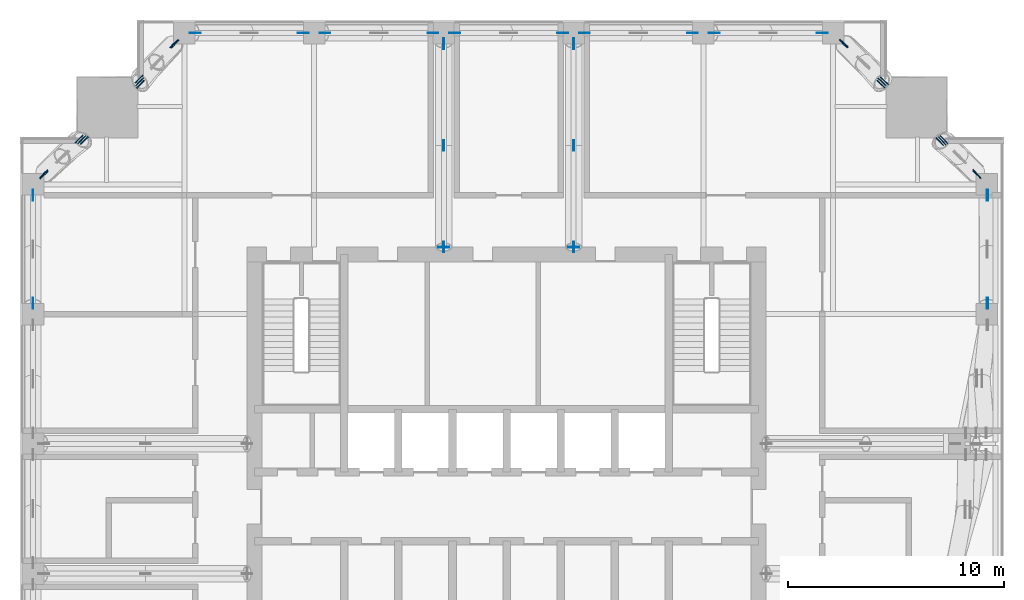
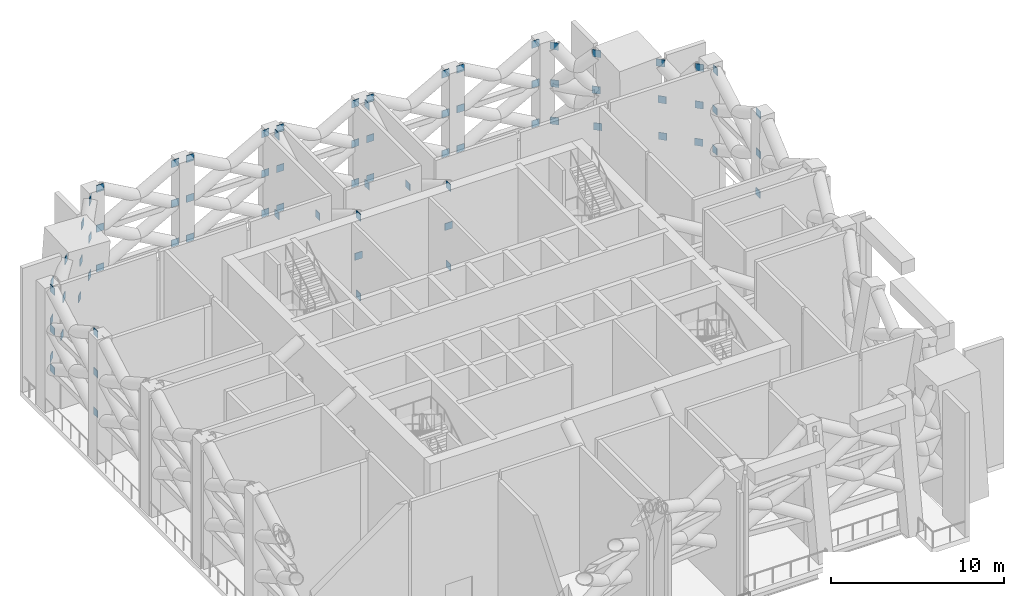
# One storey, part 14 of 18: 78 discrete accessories.
"""IFC4 building model written with IfcOpenShell, lengths in metres."""

from ifc_helpers import new_model, si_unit, direction, frame, origin, origin_2d, place, context, subcontext, project, spatial, rectangle, extrude, element, save


model = new_model("IFC4")

# Units and contexts
model_context = context("Model", 3, precision=1e-05, world=origin(), true_north=direction((0.0, 1.0)))
body_context = subcontext(model_context, "Body", "Model", "MODEL_VIEW")
ifc_project = project(units=[si_unit("LENGTHUNIT", "METRE"), si_unit("AREAUNIT", "SQUARE_METRE"), si_unit("VOLUMEUNIT", "CUBIC_METRE"), si_unit("PLANEANGLEUNIT", "RADIAN"), si_unit("MASSUNIT", "GRAM", prefix="KILO")], contexts=[model_context])

# Site, building, storey
site_placement = place(None, origin())
site = spatial("IfcSite", under=ifc_project, at=site_placement, CompositionType="ELEMENT")
building_placement = place(site_placement, origin())
building = spatial("IfcBuilding", under=site, at=building_placement, Name="Amberfall Residences", CompositionType="ELEMENT")
storey_placement = place(building_placement, frame((0.0, 0.0, 178.0)))
storey = spatial("IfcBuildingStorey", under=building, at=storey_placement, Name="L48", CompositionType="ELEMENT", Elevation=178.0)

# Discrete accessories
discrete_accessory_1_placement = place(storey_placement, frame((71.60009765625, 57.5, 5.449951171875), z_axis=(0.0, 0.0, 1.0), x_axis=(0.0, 1.0, 0.0)))
element("IfcDiscreteAccessory", 1, at=discrete_accessory_1_placement, inside=storey, Name="Cast-in plate L48", PredefinedType="BRACKET", context=body_context, shape_type="SweptSolid", body=[
    extrude(rectangle(XDim=0.0400390625, YDim=0.5, at=origin_2d()), origin(), (0.0, 0.0, 1.0), 0.5),
])
for number, where, z_axis, x_axis, name in (
    (2, (71.60009765625, 66.89990234375, 2.64990234375), (0.0, 0.0, 1.0), (0.0, 1.0, 0.0), "Connection plate L48"),
    (3, (71.60009765625, 62.199951171875, 5.449951171875), (0.0, 0.0, 1.0), (0.0, 1.0, 0.0), "Connection plate L48"),
    (4, (71.60009765625, 57.5, 2.64990234375), (0.0, 0.0, 1.0), (0.0, 1.0, 0.0), "Connection plate L48"),
    (5, (71.60009765625, 66.89990234375, 8.25), (0.0, 0.0, 1.0), (0.0, 1.0, 0.0), "Connection plate L48"),
    (6, (71.60009765625, 57.5, 8.25), (0.0, 0.0, 1.0), (0.0, 1.0, 0.0), "Connection plate L48"),
):
    element("IfcDiscreteAccessory", number, at=place(storey_placement, frame(where, z_axis=z_axis, x_axis=x_axis)), inside=storey, Name=name, PredefinedType="BRACKET", context=body_context, shape_type="SweptSolid", body=[
        extrude(rectangle(XDim=0.5, YDim=0.0400390625, at=origin_2d()), origin(), (0.0, 0.0, 1.0), 0.5),
    ])
discrete_accessory_2_placement = place(storey_placement, frame((77.60009765625, 57.5, 5.449951171875), z_axis=(0.0, 0.0, 1.0), x_axis=(0.0, 1.0, 0.0)))
element("IfcDiscreteAccessory", 7, at=discrete_accessory_2_placement, inside=storey, Name="Cast-in plate L48", PredefinedType="BRACKET", context=body_context, shape_type="SweptSolid", body=[
    extrude(rectangle(XDim=0.0400390625, YDim=0.5, at=origin_2d()), origin(), (0.0, 0.0, 1.0), 0.5),
])
for number, where, z_axis, x_axis, name in (
    (8, (77.60009765625, 66.89990234375, 2.64990234375), (0.0, 0.0, 1.0), (0.0, 1.0, 0.0), "Connection plate L48"),
    (9, (77.60009765625, 62.199951171875, 5.449951171875), (0.0, 0.0, 1.0), (0.0, 1.0, 0.0), "Connection plate L48"),
    (10, (77.60009765625, 57.5, 2.64990234375), (0.0, 0.0, 1.0), (0.0, 1.0, 0.0), "Connection plate L48"),
    (11, (77.60009765625, 66.89990234375, 8.25), (0.0, 0.0, 1.0), (0.0, 1.0, 0.0), "Connection plate L48"),
    (12, (77.60009765625, 57.5, 8.25), (0.0, 0.0, 1.0), (0.0, 1.0, 0.0), "Connection plate L48"),
    (13, (96.71728515625, 54.89990234375, 2.64990234375), (0.0, 0.0, 1.0), (0.0, 1.0, 0.0), "Connection plate L48"),
    (14, (96.732421875, 59.89990234375, 5.449951171875), (0.0, 0.0, 1.0), (0.0, 1.0, 0.0), "Connection plate L48"),
    (15, (96.732421875, 54.89990234375, 5.449951171875), (0.0, 0.0, 1.0), (0.0, 1.0, 0.0), "Connection plate L48"),
    (16, (96.71728515625, 59.89990234375, 2.64990234375), (0.0, 0.0, 1.0), (0.0, 1.0, 0.0), "Connection plate L48"),
    (17, (96.747314453125, 59.89990234375, 8.25), (0.0, 0.0, 1.0), (0.0, 1.0, 0.0), "Connection plate L48"),
    (18, (96.747314453125, 54.89990234375, 8.25), (0.0, 0.0, 1.0), (0.0, 1.0, 0.0), "Connection plate L48"),
    (19, (60.10009765625, 67.39990234375, 2.64990234375), (0.0, 0.0, 1.0), (1.0, 0.0, 0.0), "Connection plate L48"),
    (20, (65.10009765625, 67.39990234375, 5.449951171875), (0.0, 0.0, 1.0), (1.0, 0.0, 0.0), "Connection plate L48"),
    (21, (60.10009765625, 67.39990234375, 5.449951171875), (0.0, 0.0, 1.0), (1.0, 0.0, 0.0), "Connection plate L48"),
    (22, (65.10009765625, 67.39990234375, 2.64990234375), (0.0, 0.0, 1.0), (1.0, 0.0, 0.0), "Connection plate L48"),
    (23, (65.10009765625, 67.39990234375, 8.25), (0.0, 0.0, 1.0), (1.0, 0.0, 0.0), "Connection plate L48"),
    (24, (60.10009765625, 67.39990234375, 8.25), (0.0, 0.0, 1.0), (1.0, 0.0, 0.0), "Connection plate L48"),
    (25, (66.10009765625, 67.39990234375, 2.64990234375), (0.0, 0.0, 1.0), (1.0, 0.0, 0.0), "Connection plate L48"),
    (26, (71.10009765625, 67.39990234375, 5.449951171875), (0.0, 0.0, 1.0), (1.0, 0.0, 0.0), "Connection plate L48"),
    (27, (66.10009765625, 67.39990234375, 5.449951171875), (0.0, 0.0, 1.0), (1.0, 0.0, 0.0), "Connection plate L48"),
    (28, (71.10009765625, 67.39990234375, 2.64990234375), (0.0, 0.0, 1.0), (1.0, 0.0, 0.0), "Connection plate L48"),
    (29, (71.10009765625, 67.39990234375, 8.25), (0.0, 0.0, 1.0), (1.0, 0.0, 0.0), "Connection plate L48"),
    (30, (66.10009765625, 67.39990234375, 8.25), (0.0, 0.0, 1.0), (1.0, 0.0, 0.0), "Connection plate L48"),
    (31, (72.10009765625, 67.39990234375, 2.64990234375), (0.0, 0.0, 1.0), (1.0, 0.0, 0.0), "Connection plate L48"),
    (32, (77.10009765625, 67.39990234375, 5.449951171875), (0.0, 0.0, 1.0), (1.0, 0.0, 0.0), "Connection plate L48"),
    (33, (72.10009765625, 67.39990234375, 5.449951171875), (0.0, 0.0, 1.0), (1.0, 0.0, 0.0), "Connection plate L48"),
    (34, (77.10009765625, 67.39990234375, 2.64990234375), (0.0, 0.0, 1.0), (1.0, 0.0, 0.0), "Connection plate L48"),
    (35, (77.10009765625, 67.39990234375, 8.25), (0.0, 0.0, 1.0), (1.0, 0.0, 0.0), "Connection plate L48"),
    (36, (72.10009765625, 67.39990234375, 8.25), (0.0, 0.0, 1.0), (1.0, 0.0, 0.0), "Connection plate L48"),
    (37, (78.10009765625, 67.39990234375, 2.64990234375), (0.0, 0.0, 1.0), (1.0, 0.0, 0.0), "Connection plate L48"),
    (38, (83.10009765625, 67.39990234375, 5.449951171875), (0.0, 0.0, 1.0), (1.0, 0.0, 0.0), "Connection plate L48"),
    (39, (78.10009765625, 67.39990234375, 5.449951171875), (0.0, 0.0, 1.0), (1.0, 0.0, 0.0), "Connection plate L48"),
    (40, (83.10009765625, 67.39990234375, 2.64990234375), (0.0, 0.0, 1.0), (1.0, 0.0, 0.0), "Connection plate L48"),
    (41, (83.10009765625, 67.39990234375, 8.25), (0.0, 0.0, 1.0), (1.0, 0.0, 0.0), "Connection plate L48"),
    (42, (78.10009765625, 67.39990234375, 8.25), (0.0, 0.0, 1.0), (1.0, 0.0, 0.0), "Connection plate L48"),
    (43, (84.10009765625, 67.39990234375, 2.64990234375), (0.0, 0.0, 1.0), (1.0, 0.0, 0.0), "Connection plate L48"),
    (44, (89.10009765625, 67.39990234375, 5.449951171875), (0.0, 0.0, 1.0), (1.0, 0.0, 0.0), "Connection plate L48"),
    (45, (84.10009765625, 67.39990234375, 5.449951171875), (0.0, 0.0, 1.0), (1.0, 0.0, 0.0), "Connection plate L48"),
    (46, (89.10009765625, 67.39990234375, 2.64990234375), (0.0, 0.0, 1.0), (1.0, 0.0, 0.0), "Connection plate L48"),
    (47, (89.10009765625, 67.39990234375, 8.25), (0.0, 0.0, 1.0), (1.0, 0.0, 0.0), "Connection plate L48"),
    (48, (84.10009765625, 67.39990234375, 8.25), (0.0, 0.0, 1.0), (1.0, 0.0, 0.0), "Connection plate L48"),
    (49, (52.60009765625, 54.89990234375, 2.64990234375), (0.0, 0.0, 1.0), (0.0, 1.0, 0.0), "Connection plate L48"),
    (50, (52.60009765625, 59.89990234375, 5.449951171875), (0.0, 0.0, 1.0), (0.0, 1.0, 0.0), "Connection plate L48"),
    (51, (52.60009765625, 54.89990234375, 5.449951171875), (0.0, 0.0, 1.0), (0.0, 1.0, 0.0), "Connection plate L48"),
    (52, (52.60009765625, 59.89990234375, 2.64990234375), (0.0, 0.0, 1.0), (0.0, 1.0, 0.0), "Connection plate L48"),
    (53, (52.60009765625, 59.89990234375, 8.25), (0.0, 0.0, 1.0), (0.0, 1.0, 0.0), "Connection plate L48"),
    (54, (52.60009765625, 54.89990234375, 8.25), (0.0, 0.0, 1.0), (0.0, 1.0, 0.0), "Connection plate L48"),
    (55, (94.720458984375, 62.468505859375, 2.75), (0.0, 0.0, 1.0), (0.689417289916, -0.724364411305, 0.0), "Connection plate L48"),
    (56, (96.232177734375, 60.88037109375, 5.396484375), (0.0, 0.0, 1.0), (0.689417289916, -0.724364411305, 0.0), "Connection plate L48"),
    (57, (94.647705078125, 62.402587890625, 5.396484375), (0.0, 0.0, 1.0), (0.689417289916, -0.724364411305, 0.0), "Connection plate L48"),
    (58, (96.235107421875, 60.89990234375, 2.75), (0.0, 0.0, 1.0), (0.689417289916, -0.724364411305, 0.0), "Connection plate L48"),
    (59, (96.24609375, 60.84619140625, 8.042724609375), (0.0, 0.0, 1.0), (0.71648459999, -0.697602908521, 0.0), "Connection plate L48"),
    (60, (94.528564453125, 62.37890625, 8.042724609375), (0.0, 0.0, 1.0), (0.71648459999, -0.697602908521, 0.0), "Connection plate L48"),
    (61, (91.968505859375, 65.1806640625, 2.75), (0.0, 0.0, 1.0), (-0.735978938766, 0.67700443255, 0.0), "Connection plate L48"),
    (62, (90.099365234375, 66.89990234375, 5.396484375), (0.0, 0.0, 1.0), (-0.735978938766, 0.67700443255, 0.0), "Connection plate L48"),
    (63, (91.849365234375, 65.147705078125, 5.396484375), (0.0, 0.0, 1.0), (-0.735978938766, 0.67700443255, 0.0), "Connection plate L48"),
    (64, (90.10009765625, 66.931396484375, 2.75), (0.0, 0.0, 1.0), (-0.735978938766, 0.67700443255, 0.0), "Connection plate L48"),
    (65, (90.06787109375, 66.89990234375, 8.042724609375), (0.0, 0.0, 1.0), (-0.712920074263, 0.701245297819, 0.0), "Connection plate L48"),
    (66, (91.818603515625, 65.028564453125, 8.042724609375), (0.0, 0.0, 1.0), (-0.712920074263, 0.701245297819, 0.0), "Connection plate L48"),
    (67, (57.506591796875, 65.2685546875, 2.75), (0.0, 0.0, 1.0), (0.70793316742, 0.706279428036, 0.0), "Connection plate L48"),
    (68, (59.1416015625, 66.89990234375, 5.396484375), (0.0, 0.0, 1.0), (0.70793316742, 0.706279428036, 0.0), "Connection plate L48"),
    (69, (57.53564453125, 65.147705078125, 5.396484375), (0.0, 0.0, 1.0), (0.70793316742, 0.706279428036, 0.0), "Connection plate L48"),
    (70, (59.10888671875, 66.89990234375, 2.75), (0.0, 0.0, 1.0), (0.70793316742, 0.706279428036, 0.0), "Connection plate L48"),
    (71, (59.172119140625, 66.89990234375, 8.042724609375), (0.0, 0.0, 1.0), (0.682496018705, 0.73088931067, 0.0), "Connection plate L48"),
    (72, (57.570068359375, 65.02880859375, 8.042724609375), (0.0, 0.0, 1.0), (0.682496018705, 0.73088931067, 0.0), "Connection plate L48"),
    (73, (54.7314453125, 62.493408203125, 2.75), (0.0, 0.0, 1.0), (-0.706279428036, -0.70793316742, 0.0), "Connection plate L48"),
    (74, (53.10009765625, 60.8583984375, 5.396484375), (0.0, 0.0, 1.0), (-0.706279428036, -0.70793316742, 0.0), "Connection plate L48"),
    (75, (54.852294921875, 62.46435546875, 5.396484375), (0.0, 0.0, 1.0), (-0.706279428036, -0.70793316742, 0.0), "Connection plate L48"),
    (76, (53.10009765625, 60.89111328125, 2.75), (0.0, 0.0, 1.0), (-0.706279428036, -0.70793316742, 0.0), "Connection plate L48"),
    (77, (53.10009765625, 60.827880859375, 8.042724609375), (0.0, 0.0, 1.0), (-0.73088931067, -0.682496018705, 0.0), "Connection plate L48"),
    (78, (54.97119140625, 62.429931640625, 8.042724609375), (0.0, 0.0, 1.0), (-0.73088931067, -0.682496018705, 0.0), "Connection plate L48"),
):
    element("IfcDiscreteAccessory", number, at=place(storey_placement, frame(where, z_axis=z_axis, x_axis=x_axis)), inside=storey, Name=name, PredefinedType="BRACKET", context=body_context, shape_type="SweptSolid", body=[
        extrude(rectangle(XDim=0.5, YDim=0.0400390625, at=origin_2d()), origin(), (0.0, 0.0, 1.0), 0.5),
    ])

save(model, "model.ifc")
